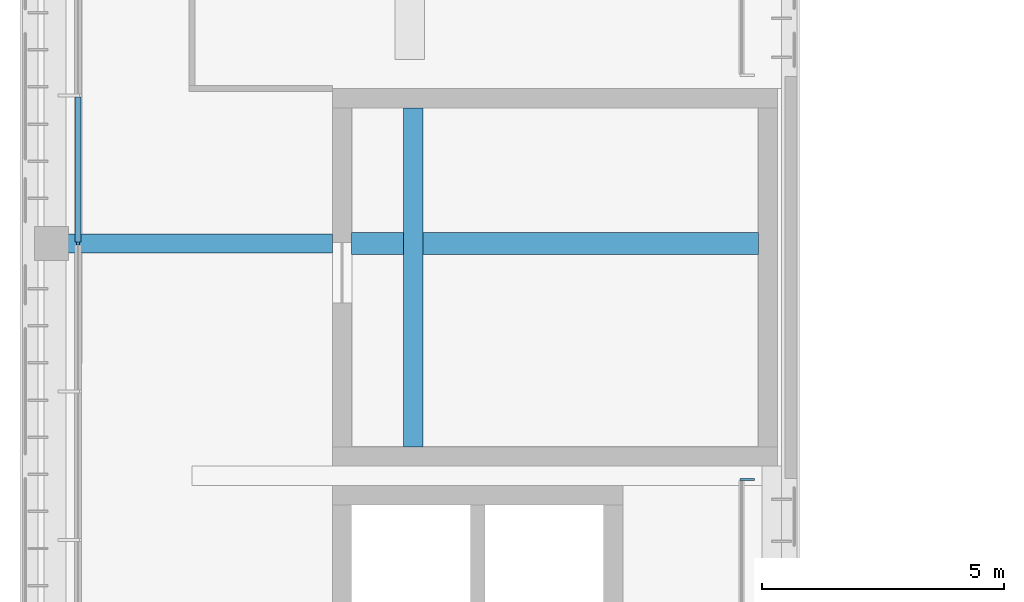
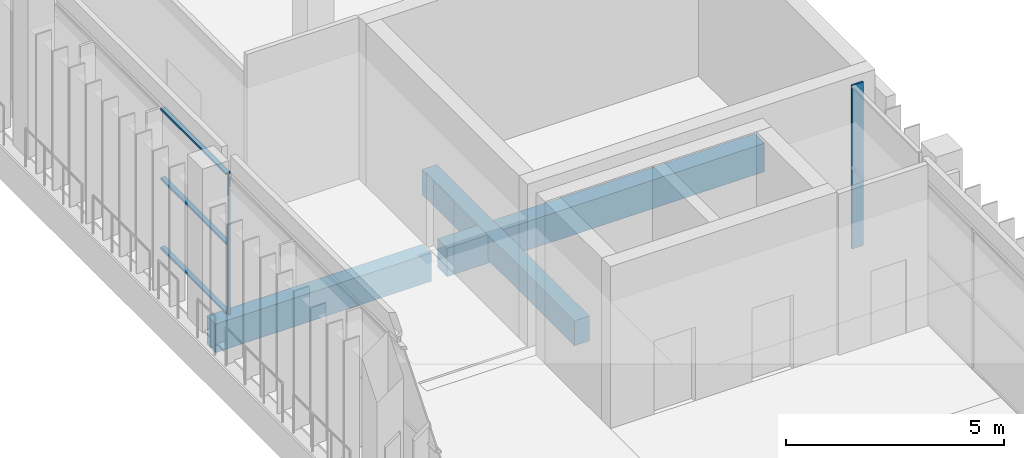
# One storey, part 13 of 46: 5 members, 3 beams, 2 elements without a shape of their own.
"""IFC4 building model written with IfcOpenShell, lengths in metres."""

from ifc_helpers import new_model, si_unit, direction, frame, origin, origin_2d, place, context, subcontext, project, spatial, rectangle, extrude, material, material_profile, profile_set, type_object, element, aggregate, save


model = new_model("IFC4")

# Units and contexts
model_context = context("Model", 3, precision=1e-05, world=origin(), true_north=direction((0.0, 1.0)))
body_context = subcontext(model_context, "Body", "Model", "MODEL_VIEW")
ifc_project = project(units=[si_unit("LENGTHUNIT", "METRE"), si_unit("AREAUNIT", "SQUARE_METRE"), si_unit("VOLUMEUNIT", "CUBIC_METRE"), si_unit("PLANEANGLEUNIT", "RADIAN"), si_unit("MASSUNIT", "GRAM", prefix="KILO")], contexts=[model_context])

# Site, building, storey
site_placement = place(None, origin())
site = spatial("IfcSite", under=ifc_project, at=site_placement, CompositionType="ELEMENT")
building_placement = place(site_placement, origin())
building = spatial("IfcBuilding", under=site, at=building_placement, Name="Lantern Court Media Centre", CompositionType="ELEMENT")
storey_placement = place(building_placement, frame((0.0, 0.0, 28.800048828125)))
storey = spatial("IfcBuildingStorey", under=building, at=storey_placement, Name="L06", CompositionType="ELEMENT", Elevation=28.800048828125)

# Curtain wall, member
ifc_material_1 = material(Name="Curtain wall bay 2400")
curtain_wall_type_1 = type_object("IfcCurtainWallType", Name="Curtain wall bay 2400", PredefinedType="NOTDEFINED", material=ifc_material_1)
curtain_wall_1_placement = place(storey_placement, origin())
curtain_wall_1 = element("IfcCurtainWall", 1, at=curtain_wall_1_placement, inside=storey, type_object=curtain_wall_type_1, Name="Curtain wall W inner L06", PredefinedType="NOTDEFINED")
ifc_material_2 = material(Name="Anodised aluminium", Category="aluminium")
ifc_material_profile_1 = material_profile(ifc_material_2, rectangle(XDim=0.300048828125, YDim=0.050048828125, at=origin_2d()), Name="AL 50x300")
ifc_profile_set_1 = profile_set([ifc_material_profile_1], Name="Anodised aluminium")
member_type_1 = type_object("IfcMemberType", Name="Curtain wall mullion 50x300", PredefinedType="MULLION", material=ifc_profile_set_1)
member_1_placement = place(storey_placement, frame((16.969970703125, 75.125, 0.0), z_axis=(0.0, 0.0, 1.0), x_axis=(-1.0, 0.0, 0.0)))
member_1 = element("IfcMember", 2, at=member_1_placement, type_object=member_type_1, Name="CW2 mullion 2", PredefinedType="MULLION", context=body_context, shape_type="SweptSolid", body=[
    extrude(rectangle(XDim=0.300048828125, YDim=0.050048828125, at=origin_2d()), origin(), (0.0, 0.0, 1.0), 4.579833984375),
])
aggregate(curtain_wall_1, [member_1])

# Curtain wall, members
ifc_material_3 = material(Name="Curtain wall bay 3000")
curtain_wall_type_2 = type_object("IfcCurtainWallType", Name="Curtain wall bay 3000", PredefinedType="NOTDEFINED", material=ifc_material_3)
curtain_wall_2_placement = place(storey_placement, origin())
curtain_wall_2 = element("IfcCurtainWall", 3, at=curtain_wall_2_placement, inside=storey, type_object=curtain_wall_type_2, Name="Curtain wall W outer L06", PredefinedType="NOTDEFINED")
ifc_material_profile_2 = material_profile(ifc_material_2, rectangle(XDim=0.06005859375, YDim=0.06005859375, at=origin_2d()), Name="AL 60x60")
ifc_profile_set_2 = profile_set([ifc_material_profile_2], Name="Anodised aluminium")
member_type_2 = type_object("IfcMemberType", Name="Curtain wall mullion 60x60", PredefinedType="MULLION", material=ifc_profile_set_2)
member_2_placement = place(storey_placement, frame((3.14990234375, 80.0, 0.0), z_axis=(0.0, 0.0, 1.0), x_axis=(-1.0, 0.0, 0.0)))
member_2 = element("IfcMember", 4, at=member_2_placement, type_object=member_type_2, Name="CW1 mullion 6", PredefinedType="MULLION", context=body_context, shape_type="SweptSolid", body=[
    extrude(rectangle(XDim=0.06005859375, YDim=0.06005859375, at=origin_2d()), origin(), (0.0, 0.0, 1.0), 3.949951171875),
])
ifc_material_profile_3 = material_profile(ifc_material_2, rectangle(XDim=0.1201171875, YDim=0.06005859375, at=origin_2d()), Name="AL 60x120")
ifc_profile_set_3 = profile_set([ifc_material_profile_3], Name="Anodised aluminium")
member_type_3 = type_object("IfcMemberType", Name="Curtain wall transom 60x120", PredefinedType="USERDEFINED", material=ifc_profile_set_3)
member_3_placement = place(storey_placement, frame((3.14990234375, 80.030029296875, 0.030029296875), z_axis=(0.0, 1.0, 0.0), x_axis=(-1.0, 0.0, 0.0)))
member_3 = element("IfcMember", 5, at=member_3_placement, type_object=member_type_3, Name="CW1 transom 6.1", ObjectType="TRANSOM", PredefinedType="USERDEFINED", context=body_context, shape_type="SweptSolid", body=[
    extrude(rectangle(XDim=0.1201171875, YDim=0.06005859375, at=origin_2d()), origin(), (0.0, 0.0, 1.0), 3.0),
])
member_4_placement = place(storey_placement, frame((3.14990234375, 80.030029296875, 1.974853515625), z_axis=(0.0, 1.0, 0.0), x_axis=(-1.0, 0.0, 0.0)))
member_4 = element("IfcMember", 6, at=member_4_placement, type_object=member_type_3, Name="CW1 transom 6.2", ObjectType="TRANSOM", PredefinedType="USERDEFINED", context=body_context, shape_type="SweptSolid", body=[
    extrude(rectangle(XDim=0.1201171875, YDim=0.06005859375, at=origin_2d()), origin(), (0.0, 0.0, 1.0), 3.0),
])
member_5_placement = place(storey_placement, frame((3.14990234375, 80.030029296875, 3.919921875), z_axis=(0.0, 1.0, 0.0), x_axis=(-1.0, 0.0, 0.0)))
member_5 = element("IfcMember", 7, at=member_5_placement, type_object=member_type_3, Name="CW1 transom 6.3", ObjectType="TRANSOM", PredefinedType="USERDEFINED", context=body_context, shape_type="SweptSolid", body=[
    extrude(rectangle(XDim=0.1201171875, YDim=0.06005859375, at=origin_2d()), origin(), (0.0, 0.0, 1.0), 3.0),
])
aggregate(curtain_wall_2, [member_2, member_3, member_4, member_5])

# Beams
ifc_material_4 = material(Name="Concrete C35", Category="concrete")
ifc_material_profile_4 = material_profile(ifc_material_4, rectangle(XDim=0.39990234375, YDim=0.699951171875, at=origin_2d()), Name="RC 400x700")
ifc_profile_set_4 = profile_set([ifc_material_profile_4], Name="Concrete C35")
beam_type_1 = type_object("IfcBeamType", Name="RC BEAM 400x700", PredefinedType="BEAM", material=ifc_profile_set_4)
beam_1_placement = place(storey_placement, frame((10.072998046875, 75.800048828125, -0.35009765625), z_axis=(0.0, 1.0, 0.0), x_axis=(-1.0, 0.0, 0.0)))
element("IfcBeam", 8, at=beam_1_placement, inside=storey, type_object=beam_type_1, Name="LB-W-L06-1-01", PredefinedType="BEAM", context=body_context, shape_type="SweptSolid", body=[
    extrude(rectangle(XDim=0.39990234375, YDim=0.699951171875, at=origin_2d()), origin(), (0.0, 0.0, 1.0), 7.0),
])
ifc_material_profile_5 = material_profile(ifc_material_4, rectangle(XDim=0.39990234375, YDim=0.800048828125, at=origin_2d()), Name="RC 400x800")
ifc_profile_set_5 = profile_set([ifc_material_profile_5], Name="Concrete C35")
beam_type_2 = type_object("IfcBeamType", Name="RC BEAM 400x800", PredefinedType="BEAM", material=ifc_profile_set_5)
beam_2_placement = place(storey_placement, frame((2.683349609375, 80.0, -0.400146484375), z_axis=(1.0, 0.0, 0.0), x_axis=(0.0, 1.0, 0.0)))
element("IfcBeam", 9, at=beam_2_placement, inside=storey, type_object=beam_type_2, Name="TB-W-L06-2-1", PredefinedType="BEAM", context=body_context, shape_type="SweptSolid", body=[
    extrude(rectangle(XDim=0.39990234375, YDim=0.800048828125, at=origin_2d()), origin(), (0.0, 0.0, 1.0), 5.716552734375),
])
ifc_material_profile_6 = material_profile(ifc_material_4, rectangle(XDim=0.449951171875, YDim=0.800048828125, at=origin_2d()), Name="RC 450x800")
ifc_profile_set_6 = profile_set([ifc_material_profile_6], Name="Concrete C35")
beam_type_3 = type_object("IfcBeamType", Name="RC BEAM 450x800", PredefinedType="BEAM", material=ifc_profile_set_6)
beam_3_placement = place(storey_placement, frame((8.800048828125, 80.0, -0.400146484375), z_axis=(1.0, 0.0, 0.0), x_axis=(0.0, 1.0, 0.0)))
element("IfcBeam", 10, at=beam_3_placement, inside=storey, type_object=beam_type_3, Name="TB-W-L06-2-11", PredefinedType="BEAM", context=body_context, shape_type="SweptSolid", body=[
    extrude(rectangle(XDim=0.449951171875, YDim=0.800048828125, at=origin_2d()), origin(), (0.0, 0.0, 1.0), 8.39990234375),
])

save(model, "model.ifc")
